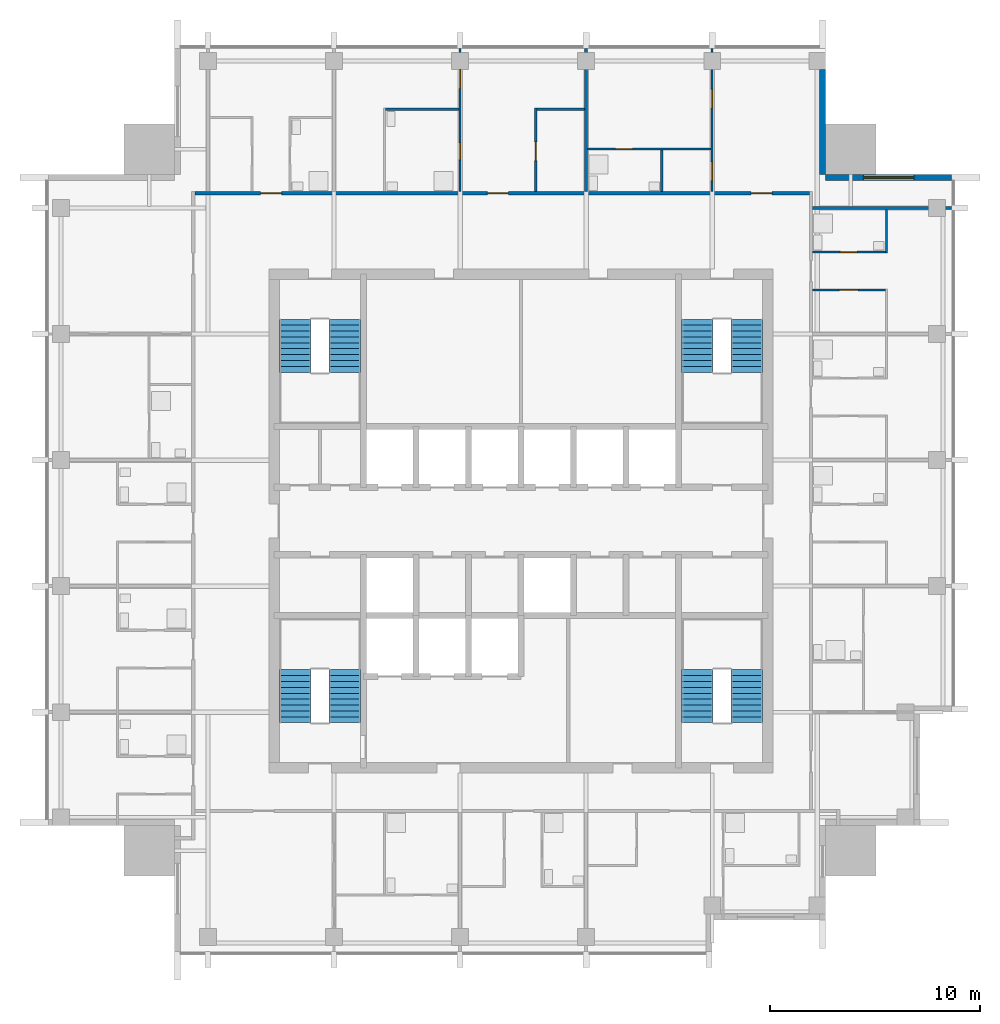
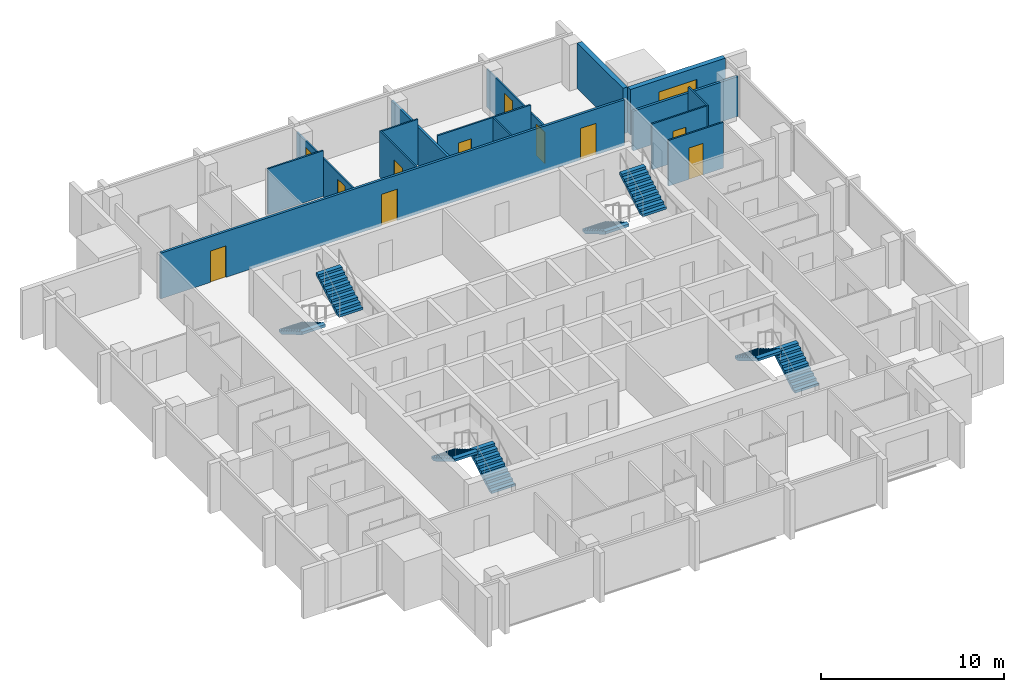
# One storey, part 7 of 9: 15 walls, 11 doors, 8 stair flights, 1 window, 12 openings, 4 elements without a shape of their own.
"""IFC4 building model written with IfcOpenShell, lengths in metres."""

import ifcopenshell
import ifcopenshell.guid

model = None  # the IFC model being written
_history = None  # IfcOwnerHistory: only IFC2X3 demands one
_inside = {}  # id of a spatial element -> (the spatial element, [elements in it])
_under = {}  # id of a project, library or spatial element -> (it, [spatial elements below it])
_declared = {}  # id of a project -> (the project, [libraries it declares])
_typed = {}  # id of a type object -> (the type object, [elements of that type])
_made_of = {}  # id of a material, layer set ... -> (it, [elements and type objects made of it])


def new_model(schema):
    """Start an empty IFC model of exactly this schema.

    Asked for "IFC4X3", IfcOpenShell would pick the latest addendum, in which some entities
    have other attributes; the version numbers below select the first issue.
    IFC2X3 requires an IfcOwnerHistory on every rooted entity: one is made here for all.
    """
    global model, _history
    if schema == "IFC4X3":
        model = ifcopenshell.file(schema_version=(4, 3, 0, 0))
    else:
        model = ifcopenshell.file(schema=schema)
    _inside.clear()
    _under.clear()
    _declared.clear()
    _typed.clear()
    _made_of.clear()
    _history = None
    if model.schema == "IFC2X3":
        org = make("IfcOrganization", Name="unknown")
        user = make(
            "IfcPersonAndOrganization",
            ThePerson=make("IfcPerson", FamilyName="unknown"),
            TheOrganization=org,
        )
        app = make(
            "IfcApplication",
            ApplicationDeveloper=org,
            Version="unknown",
            ApplicationFullName="unknown",
            ApplicationIdentifier="unknown",
        )
        _history = make(
            "IfcOwnerHistory",
            OwningUser=user,
            OwningApplication=app,
            ChangeAction="ADDED",
            CreationDate=0,
        )
    return model


def make(cls, **values):
    """One entity of the class cls with the attributes given. An attribute that is None is left unset."""
    return model.create_entity(
        cls, **{name: value for name, value in values.items() if value is not None}
    )


def rooted(cls, **values):
    """An entity with a GlobalId (a new one), such as an element, a storey or a relation."""
    return make(cls, GlobalId=ifcopenshell.guid.new(), OwnerHistory=_history, **values)


def si_unit(unit_type, name, prefix=None):
    """IfcSIUnit, for example si_unit("LENGTHUNIT", "METRE", prefix="MILLI")."""
    return make("IfcSIUnit", UnitType=unit_type, Prefix=prefix, Name=name)


def assignment(units):
    """IfcUnitAssignment: the units of a project."""
    return None if units is None else make("IfcUnitAssignment", Units=units)


def point(xyz):
    """IfcCartesianPoint."""
    return None if xyz is None else make("IfcCartesianPoint", Coordinates=xyz)


def direction(xyz):
    """IfcDirection."""
    return None if xyz is None else make("IfcDirection", DirectionRatios=xyz)


def frame(location, z_axis=None, x_axis=None):
    """IfcAxis2Placement3D, a coordinate frame: its origin and axes. An axis left out is left unset."""
    return make(
        "IfcAxis2Placement3D",
        Location=point(location),
        Axis=direction(z_axis),
        RefDirection=direction(x_axis),
    )


def frame_2d(location, x_axis=None):
    """IfcAxis2Placement2D, a coordinate frame in the plane: its origin and x axis."""
    return make(
        "IfcAxis2Placement2D", Location=point(location), RefDirection=direction(x_axis)
    )


def origin():
    """The frame at (0, 0, 0) with its axes left unset."""
    return frame((0.0, 0.0, 0.0))


def place(relative_to, where):
    """IfcLocalPlacement: puts the frame where relative to a parent placement (None: the world)."""
    return make(
        "IfcLocalPlacement", PlacementRelTo=relative_to, RelativePlacement=where
    )


def context(
    kind, dimensions, precision=None, world=None, true_north=None, identifier=None
):
    """IfcGeometricRepresentationContext, for example the 3D "Model" context."""
    return make(
        "IfcGeometricRepresentationContext",
        ContextIdentifier=identifier,
        ContextType=kind,
        CoordinateSpaceDimension=dimensions,
        Precision=precision,
        WorldCoordinateSystem=world,
        TrueNorth=true_north,
    )


def subcontext(parent, identifier, kind, view, scale=None):
    """IfcGeometricRepresentationSubContext, for example "Body" below "Model"."""
    return make(
        "IfcGeometricRepresentationSubContext",
        ContextIdentifier=identifier,
        ContextType=kind,
        ParentContext=parent,
        TargetScale=scale,
        TargetView=view,
    )


def project(units=None, contexts=None):
    """IfcProject with its units and contexts."""
    return rooted(
        "IfcProject",
        Name="project",
        RepresentationContexts=contexts,
        UnitsInContext=assignment(units),
    )


def spatial(cls, under=None, at=None, **own):
    """A site, building, storey or space (cls), placed at a placement, below another one or the project."""
    s = rooted(cls, ObjectPlacement=at, **own)
    if under is not None:
        _under.setdefault(under.id(), (under, []))[1].append(s)
    return s


def polyline(points):
    """IfcPolyline through the points."""
    return make("IfcPolyline", Points=[point(p) for p in points])


def profile(cls, at=None, kind="AREA", **sizes):
    """A parametric profile (cls). Its sizes go by their IFC names, for example OverallWidth=200.0."""
    return make(cls, ProfileType=kind, Position=at, **sizes)


def rectangle(**sizes):
    """IfcRectangleProfileDef."""
    return profile("IfcRectangleProfileDef", **sizes)


def outline(outer, holes=None, kind="AREA"):
    """IfcArbitraryClosedProfileDef: a profile drawn as a closed curve; with holes, ...WithVoids."""
    if holes is None:
        return make("IfcArbitraryClosedProfileDef", ProfileType=kind, OuterCurve=outer)
    return make(
        "IfcArbitraryProfileDefWithVoids",
        ProfileType=kind,
        OuterCurve=outer,
        InnerCurves=holes,
    )


def extrude(swept, where, along, depth):
    """IfcExtrudedAreaSolid: the profile swept, set in the frame where, extruded along a direction by depth."""
    return make(
        "IfcExtrudedAreaSolid",
        SweptArea=swept,
        Position=where,
        ExtrudedDirection=direction(along),
        Depth=depth,
    )


def shape(context_of_items, identifier, shape_type, items):
    """IfcShapeRepresentation: the items that make up one representation, for example the "Body"."""
    return make(
        "IfcShapeRepresentation",
        ContextOfItems=context_of_items,
        RepresentationIdentifier=identifier,
        RepresentationType=shape_type,
        Items=items,
    )


def material(Name=None, Category=None):
    """IfcMaterial."""
    return make("IfcMaterial", Name=Name, Category=Category)


def layer(
    of_material, thickness, ventilated=None, Name=None, Category=None, Priority=None
):
    """IfcMaterialLayer: one layer of a wall or slab, of a material (None: an air gap)."""
    return make(
        "IfcMaterialLayer",
        Material=of_material,
        LayerThickness=thickness,
        IsVentilated=ventilated,
        Name=Name,
        Category=Category,
        Priority=Priority,
    )


def layer_set(layers, Name=None):
    """IfcMaterialLayerSet."""
    return make("IfcMaterialLayerSet", MaterialLayers=layers, LayerSetName=Name)


def made_of(thing, what):
    """Note that an element or type object is made of a material, layer set ...; save() writes the relation."""
    if what is not None:
        _made_of.setdefault(what.id(), (what, []))[1].append(thing)
    return thing


def type_object(cls, material=None, **own):
    """A type object (cls), such as IfcWallType, which elements share."""
    return made_of(rooted(cls, **own), material)


def element(
    cls,
    number,
    at=None,
    inside=None,
    cuts=None,
    type_object=None,
    material=None,
    context=None,
    identifier="Body",
    shape_type=None,
    held_by="IfcProductDefinitionShape",
    body=None,
    shapes=None,
    **own,
):
    """One element of the class cls, such as IfcWall. Its Tag is "e" and its number.

    at: its placement. inside: the storey or other place that contains it. cuts: it is an
    opening in that element (IfcRelVoidsElement). A single representation is given by context,
    identifier, shape_type and body (its items); several are given by shapes. held_by: the class
    of the entity that holds the representations. save() writes the other relations.
    """
    e = rooted(cls, Tag="e%d" % number, ObjectPlacement=at, **own)
    if body is not None:
        shapes = [shape(context, identifier, shape_type, body)]
    if shapes is not None:
        e.Representation = make(held_by, Representations=shapes)
    if inside is not None:
        _inside.setdefault(inside.id(), (inside, []))[1].append(e)
    if cuts is not None:
        rooted(
            "IfcRelVoidsElement", RelatingBuildingElement=cuts, RelatedOpeningElement=e
        )
    if type_object is not None:
        _typed.setdefault(type_object.id(), (type_object, []))[1].append(e)
    return made_of(e, material)


def fill(opening, filler):
    """IfcRelFillsElement: the door or window that sits in an opening."""
    return rooted(
        "IfcRelFillsElement",
        RelatingOpeningElement=opening,
        RelatedBuildingElement=filler,
    )


def aggregate(whole, parts):
    """IfcRelAggregates: a whole, such as a stair, and the parts it consists of."""
    return rooted("IfcRelAggregates", RelatingObject=whole, RelatedObjects=parts)


def save(model, path):
    """Write the relations noted so far, then the file.

    IfcRelAggregates (storeys below a building ...), IfcRelContainedInSpatialStructure (elements
    in a storey), IfcRelDefinesByType, IfcRelAssociatesMaterial and IfcRelDeclares: one each for
    every whole, place, type object, material and project.
    """
    for whole, parts in _under.values():
        aggregate(whole, parts)
    for where, things in _inside.values():
        rooted(
            "IfcRelContainedInSpatialStructure",
            RelatedElements=things,
            RelatingStructure=where,
        )
    for kind, things in _typed.values():
        rooted("IfcRelDefinesByType", RelatedObjects=things, RelatingType=kind)
    for what, things in _made_of.values():
        rooted("IfcRelAssociatesMaterial", RelatedObjects=things, RelatingMaterial=what)
    for by, libraries in _declared.values():
        rooted("IfcRelDeclares", RelatingContext=by, RelatedDefinitions=libraries)
    model.write(path)


model = new_model("IFC4")

# Units and contexts
model_context = context("Model", 3, precision=1e-05, world=origin(), true_north=direction((0.0, 1.0)))
body_context = subcontext(model_context, "Body", "Model", "MODEL_VIEW")
ifc_project = project(units=[si_unit("LENGTHUNIT", "METRE"), si_unit("AREAUNIT", "SQUARE_METRE"), si_unit("VOLUMEUNIT", "CUBIC_METRE"), si_unit("PLANEANGLEUNIT", "RADIAN"), si_unit("MASSUNIT", "GRAM", prefix="KILO")], contexts=[model_context])

# Site, building, storey
site_placement = place(None, origin())
site = spatial("IfcSite", under=ifc_project, at=site_placement, CompositionType="ELEMENT")
building_placement = place(site_placement, origin())
building = spatial("IfcBuilding", under=site, at=building_placement, Name="Amberfall Residences", CompositionType="ELEMENT")
storey_placement = place(building_placement, frame((0.0, 0.0, 242.199951171875)))
storey = spatial("IfcBuildingStorey", under=building, at=storey_placement, Name="L64", CompositionType="ELEMENT", Elevation=242.199951171875)

# Wall, opening, window
ifc_material_1 = material(Name="Pale stone cladding on insulated backing", Category="masonry")
ifc_layer_1 = layer(ifc_material_1, 0.300048828125)
ifc_layer_set_1 = layer_set([ifc_layer_1], Name="Bronze clad wall 300")
wall_type_1 = type_object("IfcWallType", Name="Bronze clad wall 300", PredefinedType="SOLIDWALL", material=ifc_layer_set_1)
wall_1_placement = place(storey_placement, frame((95.0, 61.85009765625, 0.0), z_axis=(0.0, 0.0, 1.0), x_axis=(-1.0, 0.0, 0.0)))
wall_1 = element("IfcWall", 1, at=wall_1_placement, inside=storey, type_object=wall_type_1, Name="External wall L64 NE", PredefinedType="SOLIDWALL", context=body_context, shape_type="SweptSolid", body=[
    extrude(rectangle(XDim=6.0, YDim=0.300048828125, at=frame_2d((3.0, 0.0))), origin(), (0.0, 0.0, 1.0), 3.050048828125),
])
opening_1_placement = place(wall_1_placement, frame((1.800048828125, 0.0, 0.14990234375)))
opening_1 = element("IfcOpeningElement", 2, at=opening_1_placement, cuts=wall_1, Name="Opening WN5", PredefinedType="OPENING", context=body_context, shape_type="SweptSolid", body=[
    extrude(rectangle(XDim=2.39990234375, YDim=2.10009765625, at=frame_2d((1.199951171875, 1.050048828125))), frame((0.0, 0.159912109375, 0.0), z_axis=(0.0, -1.0, 0.0), x_axis=(1.0, 0.0, 0.0)), (0.0, 0.0, 1.0), 0.320068359375),
])
ifc_material_2 = material(Name="Bronze aluminium framed glazing", Category="aluminium")
window_type = type_object("IfcWindowType", Name="Glazed opening 2400 x 2100 bronze", PartitioningType="DOUBLE_PANEL_VERTICAL", PredefinedType="WINDOW", material=ifc_material_2)
window_placement = place(opening_1_placement, origin())
window = element("IfcWindow", 3, at=window_placement, inside=storey, type_object=window_type, Name="Window L64 NE", OverallHeight=2.10009765625, OverallWidth=2.39990234375, PartitioningType="DOUBLE_PANEL_VERTICAL", PredefinedType="WINDOW", context=body_context, shape_type="SweptSolid", body=[
    extrude(rectangle(XDim=2.39990234375, YDim=2.10009765625, at=frame_2d((1.199951171875, 1.050048828125))), frame((0.0, 0.030029296875, 0.0), z_axis=(0.0, -1.0, 0.0), x_axis=(1.0, 0.0, 0.0)), (0.0, 0.0, 1.0), 0.06005859375),
])
fill(opening_1, window)

# Wall
wall_2_placement = place(storey_placement, frame((88.85009765625, 62.0, 0.0), z_axis=(0.0, 0.0, 1.0), x_axis=(0.0, 1.0, 0.0)))
element("IfcWall", 4, at=wall_2_placement, inside=storey, type_object=wall_type_1, Name="External wall L64 NE", PredefinedType="SOLIDWALL", context=body_context, shape_type="SweptSolid", body=[
    extrude(rectangle(XDim=5.0, YDim=0.300048828125, at=frame_2d((2.5, 0.0))), origin(), (0.0, 0.0, 1.0), 3.050048828125),
])

# Wall, openings, doors
ifc_material_3 = material(Name="Gypsum board on metal stud")
ifc_layer_2 = layer(ifc_material_3, 0.10009765625)
ifc_layer_set_2 = layer_set([ifc_layer_2], Name="Flat partition 100")
wall_type_2 = type_object("IfcWallType", Name="Flat partition 100", PredefinedType="PARTITIONING", material=ifc_layer_set_2)
wall_3_placement = place(storey_placement, frame((71.60009765625, 61.175048828125, 0.0), z_axis=(0.0, 0.0, 1.0), x_axis=(0.0, 1.0, 0.0)))
wall_3 = element("IfcWall", 5, at=wall_3_placement, inside=storey, type_object=wall_type_2, Name="Partition 011", PredefinedType="PARTITIONING", context=body_context, shape_type="SweptSolid", body=[
    extrude(rectangle(XDim=6.824951171875, YDim=0.10009765625, at=frame_2d((3.41259765625, 0.0))), origin(), (0.0, 0.0, 1.0), 2.51611328125),
])
opening_2_placement = place(wall_3_placement, frame((4.925048828125, 0.0, 0.0)))
opening_2 = element("IfcOpeningElement", 6, at=opening_2_placement, cuts=wall_3, Name="Opening D41", PredefinedType="OPENING", context=body_context, shape_type="SweptSolid", body=[
    extrude(rectangle(XDim=0.89990234375, YDim=2.10009765625, at=frame_2d((0.449951171875, 1.050048828125))), frame((0.0, 0.06005859375, 0.0), z_axis=(0.0, -1.0, 0.0), x_axis=(1.0, 0.0, 0.0)), (0.0, 0.0, 1.0), 0.1201171875),
])
opening_3_placement = place(wall_3_placement, frame((1.52490234375, 0.0, 0.0)))
opening_3 = element("IfcOpeningElement", 7, at=opening_3_placement, cuts=wall_3, Name="Opening D42", PredefinedType="OPENING", context=body_context, shape_type="SweptSolid", body=[
    extrude(rectangle(XDim=0.800048828125, YDim=2.10009765625, at=frame_2d((0.39990234375, 1.050048828125))), frame((0.0, 0.06005859375, 0.0), z_axis=(0.0, -1.0, 0.0), x_axis=(1.0, 0.0, 0.0)), (0.0, 0.0, 1.0), 0.1201171875),
])
ifc_material_4 = material(Name="Timber", Category="wood")
door_type_1 = type_object("IfcDoorType", Name="Bathroom door 800 x 2100", OperationType="SINGLE_SWING_LEFT", PredefinedType="DOOR", material=ifc_material_4)
door_1_placement = place(opening_3_placement, origin())
door_1 = element("IfcDoor", 8, at=door_1_placement, inside=storey, type_object=door_type_1, Name="Door 6409 bath1", OperationType="SINGLE_SWING_LEFT", OverallHeight=2.10009765625, OverallWidth=0.800048828125, PredefinedType="DOOR", context=body_context, shape_type="SweptSolid", body=[
    extrude(rectangle(XDim=0.800048828125, YDim=2.10009765625, at=frame_2d((0.39990234375, 1.050048828125))), frame((0.0, 0.02490234375, 0.0), z_axis=(0.0, -1.0, 0.0), x_axis=(1.0, 0.0, 0.0)), (0.0, 0.0, 1.0), 0.050048828125),
])
fill(opening_3, door_1)
door_type_2 = type_object("IfcDoorType", Name="Internal door 900 x 2100", OperationType="SINGLE_SWING_LEFT", PredefinedType="DOOR", material=ifc_material_4)
door_2_placement = place(opening_2_placement, origin())
door_2 = element("IfcDoor", 9, at=door_2_placement, inside=storey, type_object=door_type_2, Name="Door 6409 bedroom1", OperationType="SINGLE_SWING_LEFT", OverallHeight=2.10009765625, OverallWidth=0.89990234375, PredefinedType="DOOR", context=body_context, shape_type="SweptSolid", body=[
    extrude(rectangle(XDim=0.89990234375, YDim=2.10009765625, at=frame_2d((0.449951171875, 1.050048828125))), frame((0.0, 0.02490234375, 0.0), z_axis=(0.0, -1.0, 0.0), x_axis=(1.0, 0.0, 0.0)), (0.0, 0.0, 1.0), 0.050048828125),
])
fill(opening_2, door_2)

# Wall, opening, door
wall_4_placement = place(storey_placement, frame((75.199951171875, 65.14990234375, 0.0), z_axis=(0.0, 0.0, 1.0), x_axis=(0.0, -1.0, 0.0)))
wall_4 = element("IfcWall", 10, at=wall_4_placement, inside=storey, type_object=wall_type_2, Name="Partition 013", PredefinedType="PARTITIONING", context=body_context, shape_type="SweptSolid", body=[
    extrude(rectangle(XDim=3.974853515625, YDim=0.10009765625, at=frame_2d((1.9873046875, 0.0))), origin(), (0.0, 0.0, 1.0), 3.050048828125),
])
opening_4_placement = place(wall_4_placement, frame((1.60009765625, 0.0, 0.0)))
opening_4 = element("IfcOpeningElement", 11, at=opening_4_placement, cuts=wall_4, Name="Opening D41", PredefinedType="OPENING", context=body_context, shape_type="SweptSolid", body=[
    extrude(rectangle(XDim=0.89990234375, YDim=2.10009765625, at=frame_2d((0.449951171875, 1.050048828125))), frame((0.0, 0.06005859375, 0.0), z_axis=(0.0, -1.0, 0.0), x_axis=(1.0, 0.0, 0.0)), (0.0, 0.0, 1.0), 0.1201171875),
])
door_3_placement = place(opening_4_placement, origin())
door_3 = element("IfcDoor", 12, at=door_3_placement, inside=storey, type_object=door_type_2, Name="Door 6409 kitchen", OperationType="SINGLE_SWING_LEFT", OverallHeight=2.10009765625, OverallWidth=0.89990234375, PredefinedType="DOOR", context=body_context, shape_type="SweptSolid", body=[
    extrude(rectangle(XDim=0.89990234375, YDim=2.10009765625, at=frame_2d((0.449951171875, 1.050048828125))), frame((0.0, 0.02490234375, 0.0), z_axis=(0.0, -1.0, 0.0), x_axis=(1.0, 0.0, 0.0)), (0.0, 0.0, 1.0), 0.050048828125),
])
fill(opening_4, door_3)

# Wall
wall_5_placement = place(storey_placement, frame((81.199951171875, 61.175048828125, 0.0), z_axis=(0.0, 0.0, 1.0), x_axis=(0.0, 1.0, 0.0)))
element("IfcWall", 13, at=wall_5_placement, inside=storey, type_object=wall_type_2, Name="Partition 016", PredefinedType="PARTITIONING", context=body_context, shape_type="SweptSolid", body=[
    extrude(rectangle(XDim=1.974853515625, YDim=0.10009765625, at=frame_2d((0.9873046875, 0.0))), origin(), (0.0, 0.0, 1.0), 3.050048828125),
])

# Wall, openings, doors
wall_6_placement = place(storey_placement, frame((83.60009765625, 61.175048828125, 0.0), z_axis=(0.0, 0.0, 1.0), x_axis=(0.0, 1.0, 0.0)))
wall_6 = element("IfcWall", 14, at=wall_6_placement, inside=storey, type_object=wall_type_2, Name="Partition 017", PredefinedType="PARTITIONING", context=body_context, shape_type="SweptSolid", body=[
    extrude(rectangle(XDim=6.824951171875, YDim=0.10009765625, at=frame_2d((3.41259765625, 0.0))), origin(), (0.0, 0.0, 1.0), 2.51611328125),
])
opening_5_placement = place(wall_6_placement, frame((0.52490234375, 0.0, 0.0)))
opening_5 = element("IfcOpeningElement", 15, at=opening_5_placement, cuts=wall_6, Name="Opening D41", PredefinedType="OPENING", context=body_context, shape_type="SweptSolid", body=[
    extrude(rectangle(XDim=0.89990234375, YDim=2.10009765625, at=frame_2d((0.449951171875, 1.050048828125))), frame((0.0, 0.06005859375, 0.0), z_axis=(0.0, -1.0, 0.0), x_axis=(1.0, 0.0, 0.0)), (0.0, 0.0, 1.0), 0.1201171875),
])
opening_6_placement = place(wall_6_placement, frame((3.97509765625, 0.0, 0.0)))
opening_6 = element("IfcOpeningElement", 16, at=opening_6_placement, cuts=wall_6, Name="Opening D41", PredefinedType="OPENING", context=body_context, shape_type="SweptSolid", body=[
    extrude(rectangle(XDim=0.89990234375, YDim=2.10009765625, at=frame_2d((0.449951171875, 1.050048828125))), frame((0.0, 0.06005859375, 0.0), z_axis=(0.0, -1.0, 0.0), x_axis=(1.0, 0.0, 0.0)), (0.0, 0.0, 1.0), 0.1201171875),
])
door_4_placement = place(opening_5_placement, origin())
door_4 = element("IfcDoor", 17, at=door_4_placement, inside=storey, type_object=door_type_2, Name="Door 6410 kitchen", OperationType="SINGLE_SWING_LEFT", OverallHeight=2.10009765625, OverallWidth=0.89990234375, PredefinedType="DOOR", context=body_context, shape_type="SweptSolid", body=[
    extrude(rectangle(XDim=0.89990234375, YDim=2.10009765625, at=frame_2d((0.449951171875, 1.050048828125))), frame((0.0, 0.02490234375, 0.0), z_axis=(0.0, -1.0, 0.0), x_axis=(1.0, 0.0, 0.0)), (0.0, 0.0, 1.0), 0.050048828125),
])
fill(opening_5, door_4)
door_5_placement = place(opening_6_placement, origin())
door_5 = element("IfcDoor", 18, at=door_5_placement, inside=storey, type_object=door_type_2, Name="Door 6410 bedroom1", OperationType="SINGLE_SWING_LEFT", OverallHeight=2.10009765625, OverallWidth=0.89990234375, PredefinedType="DOOR", context=body_context, shape_type="SweptSolid", body=[
    extrude(rectangle(XDim=0.89990234375, YDim=2.10009765625, at=frame_2d((0.449951171875, 1.050048828125))), frame((0.0, 0.02490234375, 0.0), z_axis=(0.0, -1.0, 0.0), x_axis=(1.0, 0.0, 0.0)), (0.0, 0.0, 1.0), 0.050048828125),
])
fill(opening_6, door_5)

# Walls
wall_7_placement = place(storey_placement, frame((91.89990234375, 58.25, 0.0), z_axis=(0.0, 0.0, 1.0), x_axis=(0.0, 1.0, 0.0)))
element("IfcWall", 19, at=wall_7_placement, inside=storey, type_object=wall_type_2, Name="Partition 024", PredefinedType="PARTITIONING", context=body_context, shape_type="SweptSolid", body=[
    extrude(rectangle(XDim=2.074951171875, YDim=0.10009765625, at=frame_2d((1.03759765625, 0.0))), origin(), (0.0, 0.0, 1.0), 3.050048828125),
])
wall_8_placement = place(storey_placement, frame((68.050048828125, 65.10009765625, 0.0), z_axis=(0.0, 0.0, 1.0), x_axis=(1.0, 0.0, 0.0)))
element("IfcWall", 20, at=wall_8_placement, inside=storey, type_object=wall_type_2, Name="Partition 025", PredefinedType="PARTITIONING", context=body_context, shape_type="SweptSolid", body=[
    extrude(rectangle(XDim=3.5, YDim=0.10009765625, at=frame_2d((1.75, 0.0))), origin(), (0.0, 0.0, 1.0), 3.050048828125),
])
wall_9_placement = place(storey_placement, frame((75.25, 65.10009765625, 0.0), z_axis=(0.0, 0.0, 1.0), x_axis=(1.0, 0.0, 0.0)))
element("IfcWall", 21, at=wall_9_placement, inside=storey, type_object=wall_type_2, Name="Partition 026", PredefinedType="PARTITIONING", context=body_context, shape_type="SweptSolid", body=[
    extrude(rectangle(XDim=2.27490234375, YDim=0.10009765625, at=frame_2d((1.137451171875, 0.0))), origin(), (0.0, 0.0, 1.0), 3.050048828125),
])

# Wall, opening, door
wall_10_placement = place(storey_placement, frame((83.550048828125, 63.199951171875, 0.0), z_axis=(0.0, 0.0, 1.0), x_axis=(-1.0, 0.0, 0.0)))
wall_10 = element("IfcWall", 22, at=wall_10_placement, inside=storey, type_object=wall_type_2, Name="Partition 029", PredefinedType="PARTITIONING", context=body_context, shape_type="SweptSolid", body=[
    extrude(rectangle(XDim=5.875, YDim=0.10009765625, at=frame_2d((2.9375, 0.0))), origin(), (0.0, 0.0, 1.0), 3.050048828125),
])
opening_7_placement = place(wall_10_placement, frame((3.75, 0.0, 0.0)))
opening_7 = element("IfcOpeningElement", 23, at=opening_7_placement, cuts=wall_10, Name="Opening D42", PredefinedType="OPENING", context=body_context, shape_type="SweptSolid", body=[
    extrude(rectangle(XDim=0.800048828125, YDim=2.10009765625, at=frame_2d((0.39990234375, 1.050048828125))), frame((0.0, 0.06005859375, 0.0), z_axis=(0.0, -1.0, 0.0), x_axis=(1.0, 0.0, 0.0)), (0.0, 0.0, 1.0), 0.1201171875),
])
door_6_placement = place(opening_7_placement, origin())
door_6 = element("IfcDoor", 24, at=door_6_placement, inside=storey, type_object=door_type_1, Name="Door 6410 bath1", OperationType="SINGLE_SWING_LEFT", OverallHeight=2.10009765625, OverallWidth=0.800048828125, PredefinedType="DOOR", context=body_context, shape_type="SweptSolid", body=[
    extrude(rectangle(XDim=0.800048828125, YDim=2.10009765625, at=frame_2d((0.39990234375, 1.050048828125))), frame((0.0, 0.02490234375, 0.0), z_axis=(0.0, -1.0, 0.0), x_axis=(1.0, 0.0, 0.0)), (0.0, 0.0, 1.0), 0.050048828125),
])
fill(opening_7, door_6)

wall_11_placement = place(storey_placement, frame((88.375, 58.300048828125, 0.0), z_axis=(0.0, 0.0, 1.0), x_axis=(1.0, 0.0, 0.0)))
wall_11 = element("IfcWall", 25, at=wall_11_placement, inside=storey, type_object=wall_type_2, Name="Partition 030", PredefinedType="PARTITIONING", context=body_context, shape_type="SweptSolid", body=[
    extrude(rectangle(XDim=3.47509765625, YDim=0.10009765625, at=frame_2d((1.737548828125, 0.0))), origin(), (0.0, 0.0, 1.0), 3.050048828125),
])
opening_8_placement = place(wall_11_placement, frame((1.324951171875, 0.0, 0.0)))
opening_8 = element("IfcOpeningElement", 26, at=opening_8_placement, cuts=wall_11, Name="Opening D42", PredefinedType="OPENING", context=body_context, shape_type="SweptSolid", body=[
    extrude(rectangle(XDim=0.800048828125, YDim=2.10009765625, at=frame_2d((0.39990234375, 1.050048828125))), frame((0.0, 0.06005859375, 0.0), z_axis=(0.0, -1.0, 0.0), x_axis=(1.0, 0.0, 0.0)), (0.0, 0.0, 1.0), 0.1201171875),
])
door_7_placement = place(opening_8_placement, origin())
door_7 = element("IfcDoor", 27, at=door_7_placement, inside=storey, type_object=door_type_1, Name="Door 6407 bath1", OperationType="SINGLE_SWING_LEFT", OverallHeight=2.10009765625, OverallWidth=0.800048828125, PredefinedType="DOOR", context=body_context, shape_type="SweptSolid", body=[
    extrude(rectangle(XDim=0.800048828125, YDim=2.10009765625, at=frame_2d((0.39990234375, 1.050048828125))), frame((0.0, 0.02490234375, 0.0), z_axis=(0.0, -1.0, 0.0), x_axis=(1.0, 0.0, 0.0)), (0.0, 0.0, 1.0), 0.050048828125),
])
fill(opening_8, door_7)

wall_12_placement = place(storey_placement, frame((91.85009765625, 56.5, 0.0), z_axis=(0.0, 0.0, 1.0), x_axis=(-1.0, 0.0, 0.0)))
wall_12 = element("IfcWall", 28, at=wall_12_placement, inside=storey, type_object=wall_type_2, Name="Partition 031", PredefinedType="PARTITIONING", context=body_context, shape_type="SweptSolid", body=[
    extrude(rectangle(XDim=3.47509765625, YDim=0.10009765625, at=frame_2d((1.737548828125, 0.0))), origin(), (0.0, 0.0, 1.0), 3.050048828125),
])
opening_9_placement = place(wall_12_placement, frame((1.300048828125, 0.0, 0.0)))
opening_9 = element("IfcOpeningElement", 29, at=opening_9_placement, cuts=wall_12, Name="Opening D41", PredefinedType="OPENING", context=body_context, shape_type="SweptSolid", body=[
    extrude(rectangle(XDim=0.89990234375, YDim=2.10009765625, at=frame_2d((0.449951171875, 1.050048828125))), frame((0.0, 0.06005859375, 0.0), z_axis=(0.0, -1.0, 0.0), x_axis=(1.0, 0.0, 0.0)), (0.0, 0.0, 1.0), 0.1201171875),
])
door_8_placement = place(opening_9_placement, origin())
door_8 = element("IfcDoor", 30, at=door_8_placement, inside=storey, type_object=door_type_2, Name="Door 6407 kitchen", OperationType="SINGLE_SWING_LEFT", OverallHeight=2.10009765625, OverallWidth=0.89990234375, PredefinedType="DOOR", context=body_context, shape_type="SweptSolid", body=[
    extrude(rectangle(XDim=0.89990234375, YDim=2.10009765625, at=frame_2d((0.449951171875, 1.050048828125))), frame((0.0, 0.02490234375, 0.0), z_axis=(0.0, -1.0, 0.0), x_axis=(1.0, 0.0, 0.0)), (0.0, 0.0, 1.0), 0.050048828125),
])
fill(opening_9, door_8)

# Wall
ifc_material_5 = material(Name="Blockwork, plastered", Category="masonry")
ifc_layer_3 = layer(ifc_material_5, 0.14990234375)
ifc_layer_set_3 = layer_set([ifc_layer_3], Name="Flat separating wall 150")
wall_type_3 = type_object("IfcWallType", Name="Flat separating wall 150", PredefinedType="PARTITIONING", material=ifc_layer_set_3)
wall_13_placement = place(storey_placement, frame((77.60009765625, 61.175048828125, 0.0), z_axis=(0.0, 0.0, 1.0), x_axis=(0.0, 1.0, 0.0)))
element("IfcWall", 31, at=wall_13_placement, inside=storey, type_object=wall_type_3, Name="Separating wall 056", PredefinedType="PARTITIONING", context=body_context, shape_type="SweptSolid", body=[
    extrude(rectangle(XDim=6.824951171875, YDim=0.14990234375, at=frame_2d((3.41259765625, 0.0))), origin(), (0.0, 0.0, 1.0), 2.51611328125),
])

# Wall, openings, doors
wall_14_placement = place(storey_placement, frame((58.97509765625, 61.10009765625, 0.0), z_axis=(0.0, 0.0, 1.0), x_axis=(1.0, 0.0, 0.0)))
wall_14 = element("IfcWall", 32, at=wall_14_placement, inside=storey, type_object=wall_type_3, Name="Separating wall 059", PredefinedType="PARTITIONING", context=body_context, shape_type="SweptSolid", body=[
    extrude(rectangle(XDim=29.25, YDim=0.14990234375, at=frame_2d((14.625, 0.0))), origin(), (0.0, 0.0, 1.0), 3.050048828125),
])
opening_10_placement = place(wall_14_placement, frame((3.125, 0.0, 0.0)))
opening_10 = element("IfcOpeningElement", 33, at=opening_10_placement, cuts=wall_14, Name="Opening D40", PredefinedType="OPENING", context=body_context, shape_type="SweptSolid", body=[
    extrude(rectangle(XDim=1.0, YDim=2.10009765625, at=frame_2d((0.5, 1.050048828125))), frame((0.0, 0.0849609375, 0.0), z_axis=(0.0, -1.0, 0.0), x_axis=(1.0, 0.0, 0.0)), (0.0, 0.0, 1.0), 0.169921875),
])
opening_11_placement = place(wall_14_placement, frame((13.925048828125, 0.0, 0.0)))
opening_11 = element("IfcOpeningElement", 34, at=opening_11_placement, cuts=wall_14, Name="Opening D40", PredefinedType="OPENING", context=body_context, shape_type="SweptSolid", body=[
    extrude(rectangle(XDim=1.0, YDim=2.10009765625, at=frame_2d((0.5, 1.050048828125))), frame((0.0, 0.0849609375, 0.0), z_axis=(0.0, -1.0, 0.0), x_axis=(1.0, 0.0, 0.0)), (0.0, 0.0, 1.0), 0.169921875),
])
opening_12_placement = place(wall_14_placement, frame((26.47509765625, 0.0, 0.0)))
opening_12 = element("IfcOpeningElement", 35, at=opening_12_placement, cuts=wall_14, Name="Opening D40", PredefinedType="OPENING", context=body_context, shape_type="SweptSolid", body=[
    extrude(rectangle(XDim=1.0, YDim=2.10009765625, at=frame_2d((0.5, 1.050048828125))), frame((0.0, 0.0849609375, 0.0), z_axis=(0.0, -1.0, 0.0), x_axis=(1.0, 0.0, 0.0)), (0.0, 0.0, 1.0), 0.169921875),
])
ifc_material_6 = material(Name="Timber, fire-rated", Category="wood")
door_type_3 = type_object("IfcDoorType", Name="Flat entrance door FD60 1000 x 2100", OperationType="SINGLE_SWING_LEFT", PredefinedType="DOOR", material=ifc_material_6)
door_9_placement = place(opening_10_placement, origin())
door_9 = element("IfcDoor", 36, at=door_9_placement, inside=storey, type_object=door_type_3, Name="Door 6408 entrance", OperationType="SINGLE_SWING_LEFT", OverallHeight=2.10009765625, OverallWidth=1.0, PredefinedType="DOOR", context=body_context, shape_type="SweptSolid", body=[
    extrude(rectangle(XDim=1.0, YDim=2.10009765625, at=frame_2d((0.5, 1.050048828125))), frame((0.0, 0.02490234375, 0.0), z_axis=(0.0, -1.0, 0.0), x_axis=(1.0, 0.0, 0.0)), (0.0, 0.0, 1.0), 0.050048828125),
])
fill(opening_10, door_9)
door_10_placement = place(opening_11_placement, origin())
door_10 = element("IfcDoor", 37, at=door_10_placement, inside=storey, type_object=door_type_3, Name="Door 6409 entrance", OperationType="SINGLE_SWING_LEFT", OverallHeight=2.10009765625, OverallWidth=1.0, PredefinedType="DOOR", context=body_context, shape_type="SweptSolid", body=[
    extrude(rectangle(XDim=1.0, YDim=2.10009765625, at=frame_2d((0.5, 1.050048828125))), frame((0.0, 0.02490234375, 0.0), z_axis=(0.0, -1.0, 0.0), x_axis=(1.0, 0.0, 0.0)), (0.0, 0.0, 1.0), 0.050048828125),
])
fill(opening_11, door_10)
door_11_placement = place(opening_12_placement, origin())
door_11 = element("IfcDoor", 38, at=door_11_placement, inside=storey, type_object=door_type_3, Name="Door 6410 entrance", OperationType="SINGLE_SWING_LEFT", OverallHeight=2.10009765625, OverallWidth=1.0, PredefinedType="DOOR", context=body_context, shape_type="SweptSolid", body=[
    extrude(rectangle(XDim=1.0, YDim=2.10009765625, at=frame_2d((0.5, 1.050048828125))), frame((0.0, 0.02490234375, 0.0), z_axis=(0.0, -1.0, 0.0), x_axis=(1.0, 0.0, 0.0)), (0.0, 0.0, 1.0), 0.050048828125),
])
fill(opening_12, door_11)

# Wall
wall_15_placement = place(storey_placement, frame((88.375, 60.39990234375, 0.0), z_axis=(0.0, 0.0, 1.0), x_axis=(1.0, 0.0, 0.0)))
element("IfcWall", 39, at=wall_15_placement, inside=storey, type_object=wall_type_3, Name="Separating wall 060", PredefinedType="PARTITIONING", context=body_context, shape_type="SweptSolid", body=[
    extrude(rectangle(XDim=6.625, YDim=0.14990234375, at=frame_2d((3.3125, 0.0))), origin(), (0.0, 0.0, 1.0), 2.64697265625),
])

# Stair, stair flights
ifc_material_7 = material(Name="Concrete C40", Category="concrete")
stair_type = type_object("IfcStairType", Name="Exit stair 20 risers 165.0 mm", PredefinedType="HALF_TURN_STAIR", material=ifc_material_7)
stair_1_placement = place(storey_placement, origin())
stair_1 = element("IfcStair", 40, at=stair_1_placement, inside=storey, type_object=stair_type, Name="L64 Exit stair 1", PredefinedType="HALF_TURN_STAIR")
stair_flight_type = type_object("IfcStairFlightType", Name="Stair flight 10 risers 165.0 mm", PredefinedType="STRAIGHT", material=ifc_material_7)
stair_flight_1_placement = place(storey_placement, frame((66.10009765625, 35.89990234375, 0.0), z_axis=(0.0, 0.0, 1.0), x_axis=(0.0, 1.0, 0.0)))
stair_flight_1 = element("IfcStairFlight", 41, at=stair_flight_1_placement, type_object=stair_flight_type, Name="ST3 flight 1", NumberOfRisers=10, NumberOfTreads=9, PredefinedType="STRAIGHT", RiserHeight=0.165, TreadLength=0.28, context=body_context, shape_type="SweptSolid", body=[
    extrude(outline(polyline([(0.0, 0.0), (0.0, 0.1650390625), (0.280029296875, 0.1650390625), (0.280029296875, 0.330078125), (0.56005859375, 0.330078125), (0.56005859375, 0.4951171875), (0.840087890625, 0.4951171875), (0.840087890625, 0.659912109375), (1.1201171875, 0.659912109375), (1.1201171875, 0.824951171875), (1.39990234375, 0.824951171875), (1.39990234375, 0.989990234375), (1.679931640625, 0.989990234375), (1.679931640625, 1.155029296875), (1.9599609375, 1.155029296875), (1.9599609375, 1.320068359375), (2.239990234375, 1.320068359375), (2.239990234375, 1.485107421875), (2.52001953125, 1.485107421875), (2.52001953125, 1.64990234375), (2.52001953125, 1.31103515625), (0.295166015625, 0.0), (0.0, 0.0)])), frame((0.0, 0.75, 0.0), z_axis=(0.0, -1.0, 0.0), x_axis=(1.0, 0.0, 0.0)), (0.0, 0.0, 1.0), 1.5),
])
stair_flight_2_placement = place(storey_placement, frame((63.75, 38.419921875, 1.650146484375), z_axis=(0.0, 0.0, 1.0), x_axis=(0.0, -1.0, 0.0)))
stair_flight_2 = element("IfcStairFlight", 42, at=stair_flight_2_placement, type_object=stair_flight_type, Name="ST3 flight 2", NumberOfRisers=10, NumberOfTreads=9, PredefinedType="STRAIGHT", RiserHeight=0.165, TreadLength=0.28, context=body_context, shape_type="SweptSolid", body=[
    extrude(outline(polyline([(0.0, 0.0), (0.0, 0.1650390625), (0.280029296875, 0.1650390625), (0.280029296875, 0.330078125), (0.56005859375, 0.330078125), (0.56005859375, 0.4951171875), (0.840087890625, 0.4951171875), (0.840087890625, 0.659912109375), (1.1201171875, 0.659912109375), (1.1201171875, 0.824951171875), (1.39990234375, 0.824951171875), (1.39990234375, 0.989990234375), (1.679931640625, 0.989990234375), (1.679931640625, 1.155029296875), (1.9599609375, 1.155029296875), (1.9599609375, 1.320068359375), (2.239990234375, 1.320068359375), (2.239990234375, 1.485107421875), (2.52001953125, 1.485107421875), (2.52001953125, 1.64990234375), (2.52001953125, 1.31103515625), (0.295166015625, 0.0), (0.0, 0.0)])), frame((0.0, 0.75, 0.0), z_axis=(0.0, -1.0, 0.0), x_axis=(1.0, 0.0, 0.0)), (0.0, 0.0, 1.0), 1.5),
])
aggregate(stair_1, [stair_flight_1, stair_flight_2])

stair_2_placement = place(storey_placement, origin())
stair_2 = element("IfcStair", 43, at=stair_2_placement, inside=storey, type_object=stair_type, Name="L64 Exit stair 2", PredefinedType="HALF_TURN_STAIR")
stair_flight_3_placement = place(storey_placement, frame((85.25, 35.89990234375, 0.0), z_axis=(0.0, 0.0, 1.0), x_axis=(0.0, 1.0, 0.0)))
stair_flight_3 = element("IfcStairFlight", 44, at=stair_flight_3_placement, type_object=stair_flight_type, Name="ST3 flight 1", NumberOfRisers=10, NumberOfTreads=9, PredefinedType="STRAIGHT", RiserHeight=0.165, TreadLength=0.28, context=body_context, shape_type="SweptSolid", body=[
    extrude(outline(polyline([(0.0, 0.0), (0.0, 0.1650390625), (0.280029296875, 0.1650390625), (0.280029296875, 0.330078125), (0.56005859375, 0.330078125), (0.56005859375, 0.4951171875), (0.840087890625, 0.4951171875), (0.840087890625, 0.659912109375), (1.1201171875, 0.659912109375), (1.1201171875, 0.824951171875), (1.39990234375, 0.824951171875), (1.39990234375, 0.989990234375), (1.679931640625, 0.989990234375), (1.679931640625, 1.155029296875), (1.9599609375, 1.155029296875), (1.9599609375, 1.320068359375), (2.239990234375, 1.320068359375), (2.239990234375, 1.485107421875), (2.52001953125, 1.485107421875), (2.52001953125, 1.64990234375), (2.52001953125, 1.31103515625), (0.295166015625, 0.0), (0.0, 0.0)])), frame((0.0, 0.75, 0.0), z_axis=(0.0, -1.0, 0.0), x_axis=(1.0, 0.0, 0.0)), (0.0, 0.0, 1.0), 1.5),
])
stair_flight_4_placement = place(storey_placement, frame((82.89990234375, 38.419921875, 1.650146484375), z_axis=(0.0, 0.0, 1.0), x_axis=(0.0, -1.0, 0.0)))
stair_flight_4 = element("IfcStairFlight", 45, at=stair_flight_4_placement, type_object=stair_flight_type, Name="ST3 flight 2", NumberOfRisers=10, NumberOfTreads=9, PredefinedType="STRAIGHT", RiserHeight=0.165, TreadLength=0.28, context=body_context, shape_type="SweptSolid", body=[
    extrude(outline(polyline([(0.0, 0.0), (0.0, 0.1650390625), (0.280029296875, 0.1650390625), (0.280029296875, 0.330078125), (0.56005859375, 0.330078125), (0.56005859375, 0.4951171875), (0.840087890625, 0.4951171875), (0.840087890625, 0.659912109375), (1.1201171875, 0.659912109375), (1.1201171875, 0.824951171875), (1.39990234375, 0.824951171875), (1.39990234375, 0.989990234375), (1.679931640625, 0.989990234375), (1.679931640625, 1.155029296875), (1.9599609375, 1.155029296875), (1.9599609375, 1.320068359375), (2.239990234375, 1.320068359375), (2.239990234375, 1.485107421875), (2.52001953125, 1.485107421875), (2.52001953125, 1.64990234375), (2.52001953125, 1.31103515625), (0.295166015625, 0.0), (0.0, 0.0)])), frame((0.0, 0.75, 0.0), z_axis=(0.0, -1.0, 0.0), x_axis=(1.0, 0.0, 0.0)), (0.0, 0.0, 1.0), 1.5),
])
aggregate(stair_2, [stair_flight_3, stair_flight_4])

stair_3_placement = place(storey_placement, origin())
stair_3 = element("IfcStair", 46, at=stair_3_placement, inside=storey, type_object=stair_type, Name="L64 Exit stair 3", PredefinedType="HALF_TURN_STAIR")
stair_flight_5_placement = place(storey_placement, frame((82.89990234375, 55.10009765625, 0.0), z_axis=(0.0, 0.0, 1.0), x_axis=(0.0, -1.0, 0.0)))
stair_flight_5 = element("IfcStairFlight", 47, at=stair_flight_5_placement, type_object=stair_flight_type, Name="ST3 flight 1", NumberOfRisers=10, NumberOfTreads=9, PredefinedType="STRAIGHT", RiserHeight=0.165, TreadLength=0.28, context=body_context, shape_type="SweptSolid", body=[
    extrude(outline(polyline([(0.0, 0.0), (0.0, 0.1650390625), (0.280029296875, 0.1650390625), (0.280029296875, 0.330078125), (0.56005859375, 0.330078125), (0.56005859375, 0.4951171875), (0.840087890625, 0.4951171875), (0.840087890625, 0.659912109375), (1.1201171875, 0.659912109375), (1.1201171875, 0.824951171875), (1.39990234375, 0.824951171875), (1.39990234375, 0.989990234375), (1.679931640625, 0.989990234375), (1.679931640625, 1.155029296875), (1.9599609375, 1.155029296875), (1.9599609375, 1.320068359375), (2.239990234375, 1.320068359375), (2.239990234375, 1.485107421875), (2.52001953125, 1.485107421875), (2.52001953125, 1.64990234375), (2.52001953125, 1.31103515625), (0.295166015625, 0.0), (0.0, 0.0)])), frame((0.0, 0.75, 0.0), z_axis=(0.0, -1.0, 0.0), x_axis=(1.0, 0.0, 0.0)), (0.0, 0.0, 1.0), 1.5),
])
stair_flight_6_placement = place(storey_placement, frame((85.25, 52.580078125, 1.650146484375), z_axis=(0.0, 0.0, 1.0), x_axis=(0.0, 1.0, 0.0)))
stair_flight_6 = element("IfcStairFlight", 48, at=stair_flight_6_placement, type_object=stair_flight_type, Name="ST3 flight 2", NumberOfRisers=10, NumberOfTreads=9, PredefinedType="STRAIGHT", RiserHeight=0.165, TreadLength=0.28, context=body_context, shape_type="SweptSolid", body=[
    extrude(outline(polyline([(0.0, 0.0), (0.0, 0.1650390625), (0.280029296875, 0.1650390625), (0.280029296875, 0.330078125), (0.56005859375, 0.330078125), (0.56005859375, 0.4951171875), (0.840087890625, 0.4951171875), (0.840087890625, 0.659912109375), (1.1201171875, 0.659912109375), (1.1201171875, 0.824951171875), (1.39990234375, 0.824951171875), (1.39990234375, 0.989990234375), (1.679931640625, 0.989990234375), (1.679931640625, 1.155029296875), (1.9599609375, 1.155029296875), (1.9599609375, 1.320068359375), (2.239990234375, 1.320068359375), (2.239990234375, 1.485107421875), (2.52001953125, 1.485107421875), (2.52001953125, 1.64990234375), (2.52001953125, 1.31103515625), (0.295166015625, 0.0), (0.0, 0.0)])), frame((0.0, 0.75, 0.0), z_axis=(0.0, -1.0, 0.0), x_axis=(1.0, 0.0, 0.0)), (0.0, 0.0, 1.0), 1.5),
])
aggregate(stair_3, [stair_flight_5, stair_flight_6])

stair_4_placement = place(storey_placement, origin())
stair_4 = element("IfcStair", 49, at=stair_4_placement, inside=storey, type_object=stair_type, Name="L64 Exit stair 4", PredefinedType="HALF_TURN_STAIR")
stair_flight_7_placement = place(storey_placement, frame((63.75, 55.10009765625, 0.0), z_axis=(0.0, 0.0, 1.0), x_axis=(0.0, -1.0, 0.0)))
stair_flight_7 = element("IfcStairFlight", 50, at=stair_flight_7_placement, type_object=stair_flight_type, Name="ST3 flight 1", NumberOfRisers=10, NumberOfTreads=9, PredefinedType="STRAIGHT", RiserHeight=0.165, TreadLength=0.28, context=body_context, shape_type="SweptSolid", body=[
    extrude(outline(polyline([(0.0, 0.0), (0.0, 0.1650390625), (0.280029296875, 0.1650390625), (0.280029296875, 0.330078125), (0.56005859375, 0.330078125), (0.56005859375, 0.4951171875), (0.840087890625, 0.4951171875), (0.840087890625, 0.659912109375), (1.1201171875, 0.659912109375), (1.1201171875, 0.824951171875), (1.39990234375, 0.824951171875), (1.39990234375, 0.989990234375), (1.679931640625, 0.989990234375), (1.679931640625, 1.155029296875), (1.9599609375, 1.155029296875), (1.9599609375, 1.320068359375), (2.239990234375, 1.320068359375), (2.239990234375, 1.485107421875), (2.52001953125, 1.485107421875), (2.52001953125, 1.64990234375), (2.52001953125, 1.31103515625), (0.295166015625, 0.0), (0.0, 0.0)])), frame((0.0, 0.75, 0.0), z_axis=(0.0, -1.0, 0.0), x_axis=(1.0, 0.0, 0.0)), (0.0, 0.0, 1.0), 1.5),
])
stair_flight_8_placement = place(storey_placement, frame((66.10009765625, 52.580078125, 1.650146484375), z_axis=(0.0, 0.0, 1.0), x_axis=(0.0, 1.0, 0.0)))
stair_flight_8 = element("IfcStairFlight", 51, at=stair_flight_8_placement, type_object=stair_flight_type, Name="ST3 flight 2", NumberOfRisers=10, NumberOfTreads=9, PredefinedType="STRAIGHT", RiserHeight=0.165, TreadLength=0.28, context=body_context, shape_type="SweptSolid", body=[
    extrude(outline(polyline([(0.0, 0.0), (0.0, 0.1650390625), (0.280029296875, 0.1650390625), (0.280029296875, 0.330078125), (0.56005859375, 0.330078125), (0.56005859375, 0.4951171875), (0.840087890625, 0.4951171875), (0.840087890625, 0.659912109375), (1.1201171875, 0.659912109375), (1.1201171875, 0.824951171875), (1.39990234375, 0.824951171875), (1.39990234375, 0.989990234375), (1.679931640625, 0.989990234375), (1.679931640625, 1.155029296875), (1.9599609375, 1.155029296875), (1.9599609375, 1.320068359375), (2.239990234375, 1.320068359375), (2.239990234375, 1.485107421875), (2.52001953125, 1.485107421875), (2.52001953125, 1.64990234375), (2.52001953125, 1.31103515625), (0.295166015625, 0.0), (0.0, 0.0)])), frame((0.0, 0.75, 0.0), z_axis=(0.0, -1.0, 0.0), x_axis=(1.0, 0.0, 0.0)), (0.0, 0.0, 1.0), 1.5),
])
aggregate(stair_4, [stair_flight_7, stair_flight_8])

save(model, "model.ifc")
